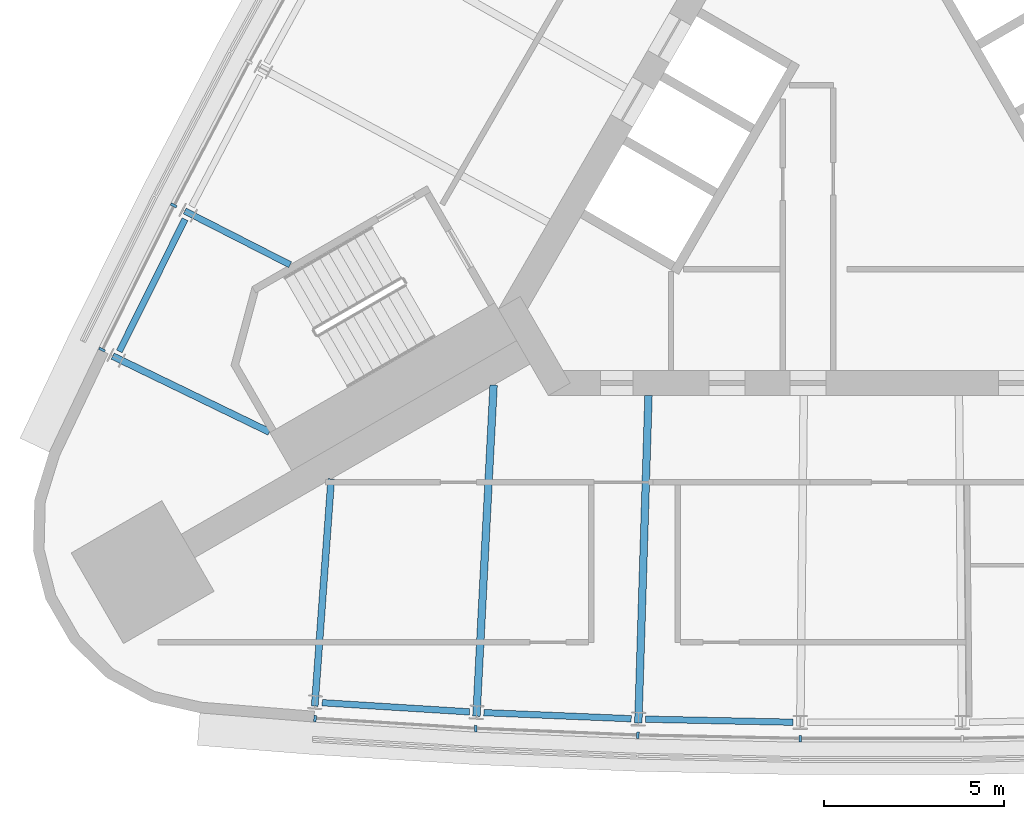
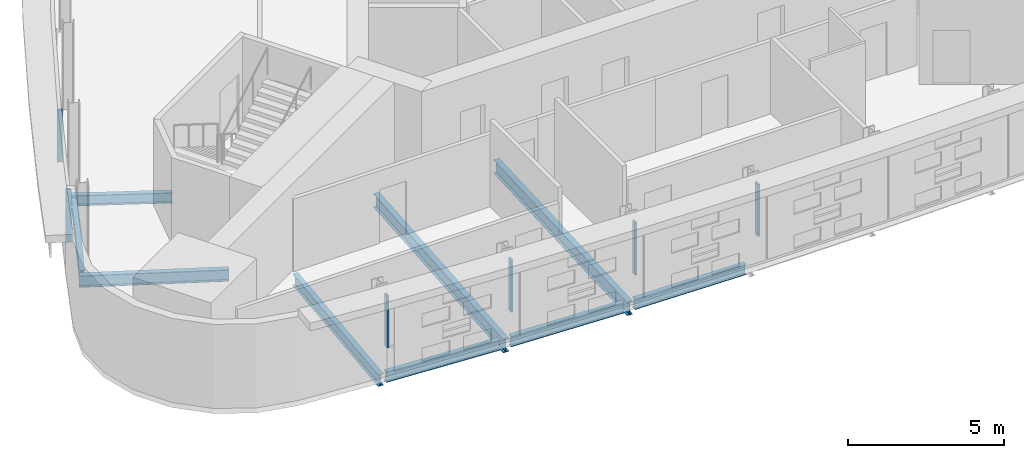
# One storey, part 2 of 12: 9 beams, 6 members, 2 elements without a shape of their own.
"""IFC4 building model written with IfcOpenShell, lengths in metres."""

from ifc_helpers import new_model, si_unit, direction, frame, origin, origin_2d, place, context, subcontext, project, spatial, rectangle, i_section, extrude, material, material_profile, profile_set, type_object, element, aggregate, save


model = new_model("IFC4")

# Units and contexts
model_context = context("Model", 3, precision=1e-05, world=origin(), true_north=direction((0.0, 1.0)))
body_context = subcontext(model_context, "Body", "Model", "MODEL_VIEW")
ifc_project = project(units=[si_unit("LENGTHUNIT", "METRE"), si_unit("AREAUNIT", "SQUARE_METRE"), si_unit("VOLUMEUNIT", "CUBIC_METRE"), si_unit("PLANEANGLEUNIT", "RADIAN"), si_unit("MASSUNIT", "GRAM", prefix="KILO")], contexts=[model_context])

# Site, building, storey
site_placement = place(None, origin())
site = spatial("IfcSite", under=ifc_project, at=site_placement, CompositionType="ELEMENT")
building_placement = place(site_placement, origin())
building = spatial("IfcBuilding", under=site, at=building_placement, Name="Noor Cloister Tower", CompositionType="ELEMENT")
storey_placement = place(building_placement, frame((0.0, 0.0, 154.5)))
storey = spatial("IfcBuildingStorey", under=building, at=storey_placement, Name="L39", CompositionType="ELEMENT", Elevation=154.5)

# Curtain wall, members
ifc_material_1 = material(Name="Aluminium 6063-T6 anodised", Category="aluminium")
curtain_wall_type = type_object("IfcCurtainWallType", Name="Ribbon curtain wall, upper tower CW5", PredefinedType="NOTDEFINED", material=ifc_material_1)
curtain_wall_1_placement = place(storey_placement, origin())
curtain_wall_1 = element("IfcCurtainWall", 1, at=curtain_wall_1_placement, inside=storey, type_object=curtain_wall_type, Name="CW5 L39 NW run 1", PredefinedType="NOTDEFINED")
ifc_material_2 = material(Name="Aluminium 6063-T6 anodised", Category="aluminium")
ifc_material_profile_1 = material_profile(ifc_material_2, rectangle(XDim=0.179931640625, YDim=0.070068359375, at=origin_2d()), Name="180 x 70 mullion")
ifc_profile_set_1 = profile_set([ifc_material_profile_1], Name="Aluminium 6063-T6 anodised")
member_type = type_object("IfcMemberType", Name="Mullion CW5 70 x 180", PredefinedType="MULLION", material=ifc_profile_set_1)
member_1_placement = place(storey_placement, frame((-19.611328125, -1.656005859375, 1.10009765625), z_axis=(0.0, 0.0, 1.0), x_axis=(0.890762109729, -0.454469871246, 0.0)))
member_1 = element("IfcMember", 2, at=member_1_placement, type_object=member_type, Name="CW5 mullion 7", PredefinedType="MULLION", context=body_context, shape_type="SweptSolid", body=[
    extrude(rectangle(XDim=0.179931640625, YDim=0.070068359375, at=origin_2d()), origin(), (0.0, 0.0, 1.0), 2.0498046875),
])
member_2_placement = place(storey_placement, frame((-21.5986328125, -5.653076171875, 1.10009765625), z_axis=(0.0, 0.0, 1.0), x_axis=(0.895424471705, -0.445213449338, 0.0)))
member_2 = element("IfcMember", 3, at=member_2_placement, type_object=member_type, Name="CW5 mullion 8", PredefinedType="MULLION", context=body_context, shape_type="SweptSolid", body=[
    extrude(rectangle(XDim=0.179931640625, YDim=0.070068359375, at=origin_2d()), origin(), (0.0, 0.0, 1.0), 2.0498046875),
])
aggregate(curtain_wall_1, [member_1, member_2])

curtain_wall_2_placement = place(storey_placement, origin())
curtain_wall_2 = element("IfcCurtainWall", 4, at=curtain_wall_2_placement, inside=storey, type_object=curtain_wall_type, Name="CW5 L39 S run 2", PredefinedType="NOTDEFINED")
member_3_placement = place(storey_placement, frame((-15.695068359375, -15.87841796875, 1.10009765625), z_axis=(0.0, 0.0, 1.0), x_axis=(0.06214607862, 0.998067064336, 0.0)))
member_3 = element("IfcMember", 5, at=member_3_placement, type_object=member_type, Name="CW5 mullion 1", PredefinedType="MULLION", context=body_context, shape_type="SweptSolid", body=[
    extrude(rectangle(XDim=0.179931640625, YDim=0.070068359375, at=origin_2d()), origin(), (0.0, 0.0, 1.0), 2.0498046875),
])
member_4_placement = place(storey_placement, frame((-11.23974609375, -16.15576171875, 1.10009765625), z_axis=(0.0, 0.0, 1.0), x_axis=(0.051798601111, 0.998657551377, 0.0)))
member_4 = element("IfcMember", 6, at=member_4_placement, type_object=member_type, Name="CW5 mullion 2", PredefinedType="MULLION", context=body_context, shape_type="SweptSolid", body=[
    extrude(rectangle(XDim=0.179931640625, YDim=0.070068359375, at=origin_2d()), origin(), (0.0, 0.0, 1.0), 2.0498046875),
])
member_5_placement = place(storey_placement, frame((-6.745849609375, -16.34228515625, 1.10009765625), z_axis=(0.0, 0.0, 1.0), x_axis=(0.031088065749, 0.99951664927, 0.0)))
member_5 = element("IfcMember", 7, at=member_5_placement, type_object=member_type, Name="CW5 mullion 3", PredefinedType="MULLION", context=body_context, shape_type="SweptSolid", body=[
    extrude(rectangle(XDim=0.179931640625, YDim=0.070068359375, at=origin_2d()), origin(), (0.0, 0.0, 1.0), 2.0498046875),
])
member_6_placement = place(storey_placement, frame((-2.2490234375, -16.435546875, 1.10009765625), z_axis=(0.0, 0.0, 1.0), x_axis=(0.010364172955, 0.999946290517, 0.0)))
member_6 = element("IfcMember", 8, at=member_6_placement, type_object=member_type, Name="CW5 mullion 4", PredefinedType="MULLION", context=body_context, shape_type="SweptSolid", body=[
    extrude(rectangle(XDim=0.179931640625, YDim=0.070068359375, at=origin_2d()), origin(), (0.0, 0.0, 1.0), 2.0498046875),
])
aggregate(curtain_wall_2, [member_3, member_4, member_5, member_6])

# Beams
ifc_material_3 = material(Name="Steel ASTM A992 Gr 50", Category="steel")
ifc_material_profile_2 = material_profile(ifc_material_3, i_section(OverallWidth=0.177978515625, OverallDepth=0.406005859375, WebThickness=0.0078125, FlangeThickness=0.0126953125, FilletRadius=0.01025390625, at=origin_2d()), Name="W410x60")
ifc_profile_set_2 = profile_set([ifc_material_profile_2], Name="Steel ASTM A992 Gr 50")
beam_type_1 = type_object("IfcBeamType", Name="Radial beam W410x60", PredefinedType="BEAM", material=ifc_profile_set_2)
beam_1_placement = place(storey_placement, frame((-19.3056640625, -1.811767578125, -0.403076171875), z_axis=(0.890745243252, -0.454502928069, 0.0), x_axis=(0.454502928069, 0.890745243252, 0.0)))
element("IfcBeam", 9, at=beam_1_placement, inside=storey, type_object=beam_type_1, Name="Radial beam NW 07 L39", PredefinedType="BEAM", context=body_context, shape_type="SweptSolid", body=[
    extrude(i_section(OverallWidth=0.177978515625, OverallDepth=0.406005859375, WebThickness=0.0078125, FlangeThickness=0.0126953125, FilletRadius=0.01025390625, at=origin_2d()), origin(), (0.0, 0.0, 1.0), 3.275634765625),
])
ifc_material_4 = material(Name="Steel ASTM A992 Gr 50", Category="steel")
ifc_material_profile_3 = material_profile(ifc_material_4, i_section(OverallWidth=0.19091796875, OverallDepth=0.45703125, WebThickness=0.009033203125, FlangeThickness=0.014404296875, FilletRadius=0.01025390625, at=origin_2d()), Name="W460x74")
ifc_profile_set_3 = profile_set([ifc_material_profile_3], Name="Steel ASTM A992 Gr 50")
beam_type_2 = type_object("IfcBeamType", Name="Radial beam W460x74", PredefinedType="BEAM", material=ifc_profile_set_3)
beam_2_placement = place(storey_placement, frame((-21.30517578125, -5.8330078125, -0.428466796875), z_axis=(0.899989072766, -0.435912455549, 0.0), x_axis=(0.435912455549, 0.899989072766, 0.0)))
element("IfcBeam", 10, at=beam_2_placement, inside=storey, type_object=beam_type_2, Name="Radial beam NW 08 L39", PredefinedType="BEAM", context=body_context, shape_type="SweptSolid", body=[
    extrude(i_section(OverallWidth=0.19091796875, OverallDepth=0.45703125, WebThickness=0.009033203125, FlangeThickness=0.014404296875, FilletRadius=0.01025390625, at=origin_2d()), origin(), (0.0, 0.0, 1.0), 4.828369140625),
])
beam_3_placement = place(storey_placement, frame((-15.7041015625, -15.5341796875, -0.428466796875), z_axis=(0.072483257939, 0.997369629234, 0.0), x_axis=(-0.997369629234, 0.072483257939, 0.0)))
element("IfcBeam", 11, at=beam_3_placement, inside=storey, type_object=beam_type_2, Name="Radial beam S 01 L39", PredefinedType="BEAM", context=body_context, shape_type="SweptSolid", body=[
    extrude(i_section(OverallWidth=0.19091796875, OverallDepth=0.45703125, WebThickness=0.009033203125, FlangeThickness=0.014404296875, FilletRadius=0.01025390625, at=origin_2d()), origin(), (0.0, 0.0, 1.0), 6.3154296875),
])
ifc_material_5 = material(Name="Steel ASTM A992 Gr 50", Category="steel")
ifc_material_profile_4 = material_profile(ifc_material_5, i_section(OverallWidth=0.208984375, OverallDepth=0.532958984375, WebThickness=0.01025390625, FlangeThickness=0.015625, FilletRadius=0.0126953125, at=origin_2d()), Name="W530x92")
ifc_profile_set_4 = profile_set([ifc_material_profile_4], Name="Steel ASTM A992 Gr 50")
beam_type_3 = type_object("IfcBeamType", Name="Radial beam W530x92", PredefinedType="BEAM", material=ifc_profile_set_4)
beam_4_placement = place(storey_placement, frame((-11.221923828125, -15.813232421875, -0.466552734375), z_axis=(0.051786213112, 0.998658193844, 0.0), x_axis=(-0.998658193844, 0.051786213112, 0.0)))
element("IfcBeam", 12, at=beam_4_placement, inside=storey, type_object=beam_type_3, Name="Radial beam S 02 L39", PredefinedType="BEAM", context=body_context, shape_type="SweptSolid", body=[
    extrude(i_section(OverallWidth=0.208984375, OverallDepth=0.532958984375, WebThickness=0.01025390625, FlangeThickness=0.015625, FilletRadius=0.0126953125, at=origin_2d()), origin(), (0.0, 0.0, 1.0), 9.188232421875),
])
beam_5_placement = place(storey_placement, frame((-6.735107421875, -15.99951171875, -0.466552734375), z_axis=(0.031097021329, 0.999516370684, 0.0), x_axis=(-0.999516370684, 0.031097021329, 0.0)))
element("IfcBeam", 13, at=beam_5_placement, inside=storey, type_object=beam_type_3, Name="Radial beam S 03 L39", PredefinedType="BEAM", context=body_context, shape_type="SweptSolid", body=[
    extrude(i_section(OverallWidth=0.208984375, OverallDepth=0.532958984375, WebThickness=0.01025390625, FlangeThickness=0.015625, FilletRadius=0.0126953125, at=origin_2d()), origin(), (0.0, 0.0, 1.0), 9.07568359375),
])
ifc_material_6 = material(Name="Steel ASTM A992 Gr 50", Category="steel")
ifc_material_profile_5 = material_profile(ifc_material_6, i_section(OverallWidth=0.177978515625, OverallDepth=0.406005859375, WebThickness=0.0078125, FlangeThickness=0.0126953125, FilletRadius=0.01025390625, at=origin_2d()), Name="W410x60")
ifc_profile_set_5 = profile_set([ifc_material_profile_5], Name="Steel ASTM A992 Gr 50")
beam_type_4 = type_object("IfcBeamType", Name="Spandrel beam W410x60", PredefinedType="SPANDREL", material=ifc_profile_set_5)
beam_6_placement = place(storey_placement, frame((-19.29931640625, -2.0390625, -0.403076171875), z_axis=(-0.445182645063, -0.895439787219, 0.0), x_axis=(0.895439787219, -0.445182645063, 0.0)))
element("IfcBeam", 14, at=beam_6_placement, inside=storey, type_object=beam_type_4, Name="Spandrel beam NW 07 L39", PredefinedType="SPANDREL", context=body_context, shape_type="SweptSolid", body=[
    extrude(i_section(OverallWidth=0.177978515625, OverallDepth=0.406005859375, WebThickness=0.0078125, FlangeThickness=0.0126953125, FilletRadius=0.01025390625, at=origin_2d()), origin(), (0.0, 0.0, 1.0), 4.08935546875),
])
beam_7_placement = place(storey_placement, frame((-15.497314453125, -15.43994140625, -0.403076171875), z_axis=(0.998067184811, -0.062144143752, 0.0), x_axis=(0.062144143752, 0.998067184811, 0.0)))
element("IfcBeam", 15, at=beam_7_placement, inside=storey, type_object=beam_type_4, Name="Spandrel beam S 01 L39", PredefinedType="SPANDREL", context=body_context, shape_type="SweptSolid", body=[
    extrude(i_section(OverallWidth=0.177978515625, OverallDepth=0.406005859375, WebThickness=0.0078125, FlangeThickness=0.0126953125, FilletRadius=0.01025390625, at=origin_2d()), origin(), (0.0, 0.0, 1.0), 4.089599609375),
])
beam_8_placement = place(storey_placement, frame((-11.01708984375, -15.71484375, -0.403076171875), z_axis=(0.999141330657, -0.041431888353, 0.0), x_axis=(0.041431888353, 0.999141330657, 0.0)))
element("IfcBeam", 16, at=beam_8_placement, inside=storey, type_object=beam_type_4, Name="Spandrel beam S 02 L39", PredefinedType="SPANDREL", context=body_context, shape_type="SweptSolid", body=[
    extrude(i_section(OverallWidth=0.177978515625, OverallDepth=0.406005859375, WebThickness=0.0078125, FlangeThickness=0.0126953125, FilletRadius=0.01025390625, at=origin_2d()), origin(), (0.0, 0.0, 1.0), 4.08935546875),
])
beam_9_placement = place(storey_placement, frame((-6.532470703125, -15.896728515625, -0.403076171875), z_axis=(0.999785432839, -0.020714446214, 0.0), x_axis=(0.020714446214, 0.999785432839, 0.0)))
element("IfcBeam", 17, at=beam_9_placement, inside=storey, type_object=beam_type_4, Name="Spandrel beam S 03 L39", PredefinedType="SPANDREL", context=body_context, shape_type="SweptSolid", body=[
    extrude(i_section(OverallWidth=0.177978515625, OverallDepth=0.406005859375, WebThickness=0.0078125, FlangeThickness=0.0126953125, FilletRadius=0.01025390625, at=origin_2d()), origin(), (0.0, 0.0, 1.0), 4.08984375),
])

save(model, "model.ifc")
